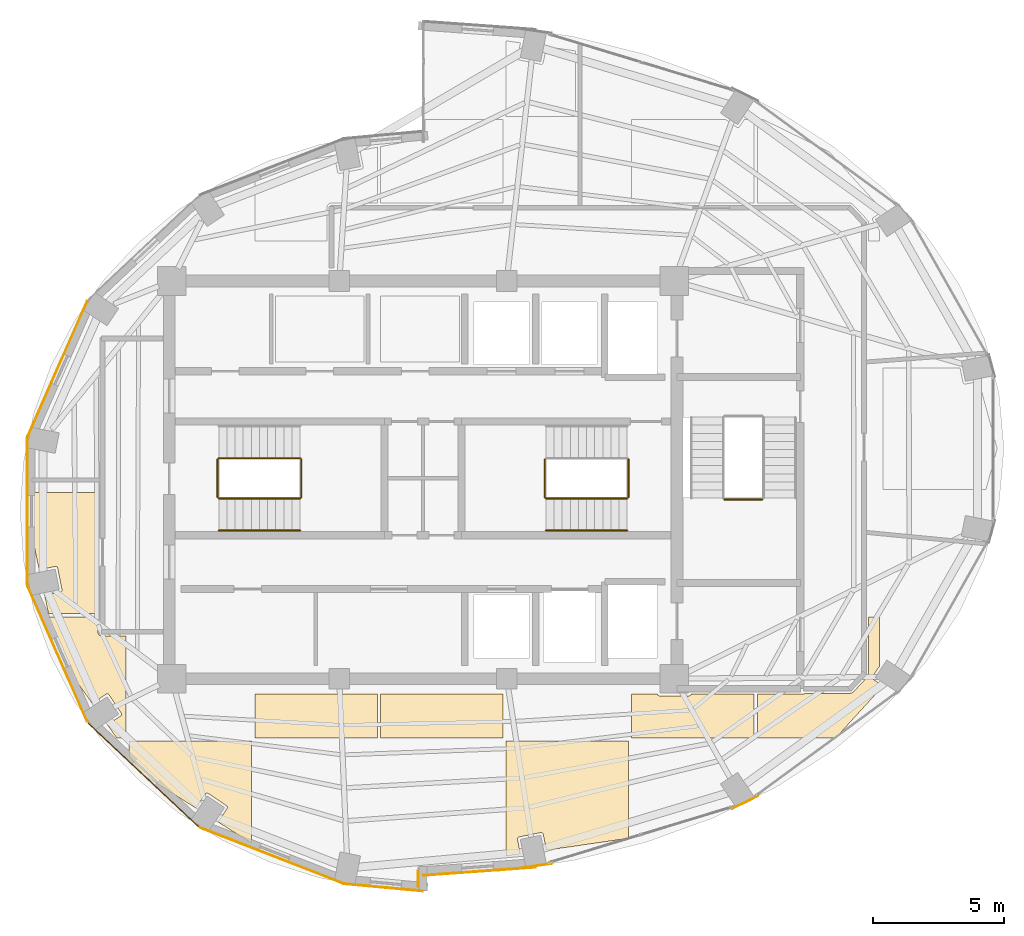
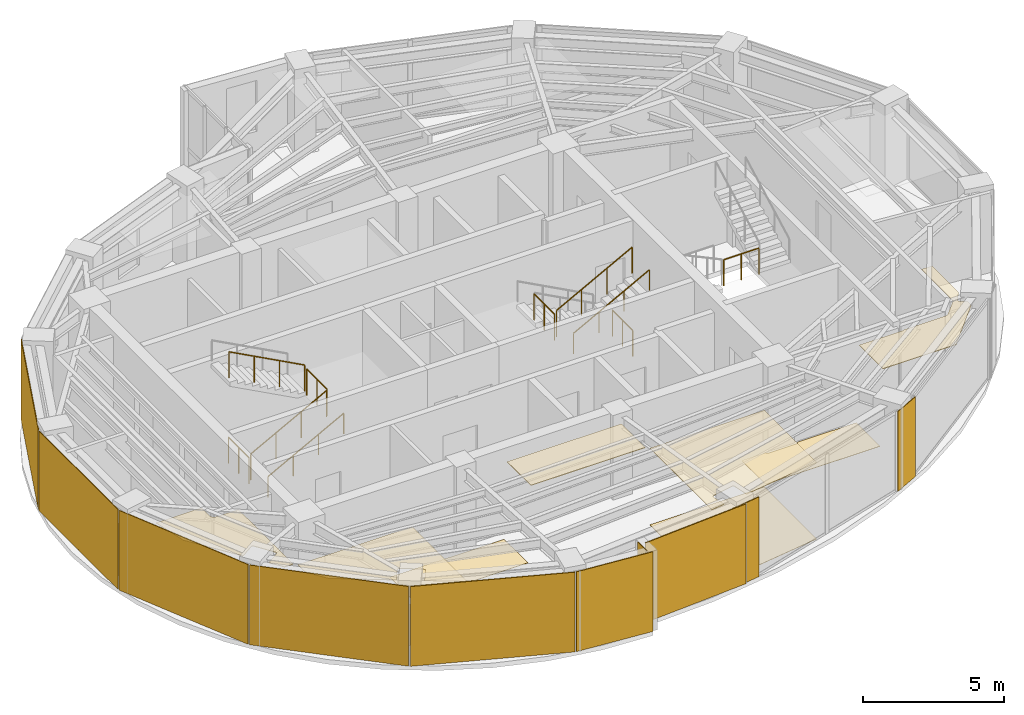
# One storey, part 14 of 15: 20 coverings, 10 railings.
"""IFC4 building model written with IfcOpenShell, lengths in metres."""

from ifc_helpers import new_model, si_unit, direction, frame, origin, origin_2d, place, context, subcontext, project, spatial, polyline, rectangle, circle, outline, extrude, material, layer, layer_set, type_object, element, save


model = new_model("IFC4")

# Units and contexts
model_context = context("Model", 3, precision=1e-05, world=origin(), true_north=direction((0.0, 1.0)))
body_context = subcontext(model_context, "Body", "Model", "MODEL_VIEW")
ifc_project = project(units=[si_unit("LENGTHUNIT", "METRE"), si_unit("AREAUNIT", "SQUARE_METRE"), si_unit("VOLUMEUNIT", "CUBIC_METRE"), si_unit("PLANEANGLEUNIT", "RADIAN"), si_unit("MASSUNIT", "GRAM", prefix="KILO")], contexts=[model_context])

# Site, building, storey
site_placement = place(None, origin())
site = spatial("IfcSite", under=ifc_project, at=site_placement, CompositionType="ELEMENT")
building_placement = place(site_placement, origin())
building = spatial("IfcBuilding", under=site, at=building_placement, Name="Lazwardi Medical Tower", CompositionType="ELEMENT")
storey_placement = place(building_placement, frame((0.0, 0.0, 284.2080078125)))
storey = spatial("IfcBuildingStorey", under=building, at=storey_placement, Name="L74", CompositionType="ELEMENT", Elevation=284.2080078125)

# Coverings
ifc_material_1 = material(Name="Anodised bronze aluminium cassette cladding", Category="aluminium")
ifc_layer_1 = layer(ifc_material_1, 0.030029296875)
ifc_layer_set_1 = layer_set([ifc_layer_1], Name="Anodised bronze aluminium cassette cladding")
covering_type_1 = type_object("IfcCoveringType", Name="COV-CLD-BRZ", PredefinedType="CLADDING", material=ifc_layer_set_1)
covering_1_placement = place(storey_placement, frame((40.3232421875, 13.25048828125, 0.0), z_axis=(0.0, 0.0, 1.0), x_axis=(0.989512431533, 0.144447733943, 0.0)))
element("IfcCovering", 1, at=covering_1_placement, inside=storey, type_object=covering_type_1, Name="L74 Mega-column bronze cassette cover M01", PredefinedType="CLADDING", context=body_context, shape_type="SweptSolid", body=[
    extrude(rectangle(XDim=1.188720703125, YDim=0.030029296875, at=origin_2d()), origin(), (0.0, 0.0, 1.0), 3.447998046875),
])
covering_2_placement = place(storey_placement, frame((48.311279296875, 15.6787109375, 0.0), z_axis=(0.0, 0.0, 1.0), x_axis=(0.897840141691, 0.440321564278, 0.0)))
element("IfcCovering", 2, at=covering_2_placement, inside=storey, type_object=covering_type_1, Name="L74 Mega-column bronze cassette cover M02", PredefinedType="CLADDING", context=body_context, shape_type="SweptSolid", body=[
    extrude(rectangle(XDim=1.110595703125, YDim=0.030029296875, at=origin_2d()), origin(), (0.0, 0.0, 1.0), 3.447998046875),
])
covering_3_placement = place(storey_placement, frame((22.032470703125, 32.25146484375, 0.0), z_axis=(0.0, 0.0, 1.0), x_axis=(-0.402877682365, -0.915253829848, 0.0)))
element("IfcCovering", 3, at=covering_3_placement, inside=storey, type_object=covering_type_1, Name="L74 West drum ceramic/bronze cladding", PredefinedType="CLADDING", context=body_context, shape_type="SweptSolid", body=[
    extrude(rectangle(XDim=5.65576171875, YDim=0.030029296875, at=origin_2d()), origin(), (0.0, 0.0, 1.0), 3.447998046875),
])
covering_4_placement = place(storey_placement, frame((20.880126953125, 26.800048828125, 0.0), z_axis=(0.0, 0.0, 1.0), x_axis=(0.0, -1.0, 0.0)))
element("IfcCovering", 4, at=covering_4_placement, inside=storey, type_object=covering_type_1, Name="L74 West drum ceramic/bronze cladding", PredefinedType="CLADDING", context=body_context, shape_type="SweptSolid", body=[
    extrude(rectangle(XDim=5.60302734375, YDim=0.030029296875, at=origin_2d()), origin(), (0.0, 0.0, 1.0), 3.447998046875),
])
covering_5_placement = place(storey_placement, frame((22.032470703125, 21.3486328125, 0.0), z_axis=(0.0, 0.0, 1.0), x_axis=(0.402877682365, -0.915253829848, 0.0)))
element("IfcCovering", 5, at=covering_5_placement, inside=storey, type_object=covering_type_1, Name="L74 West drum ceramic/bronze cladding", PredefinedType="CLADDING", context=body_context, shape_type="SweptSolid", body=[
    extrude(rectangle(XDim=5.65576171875, YDim=0.030029296875, at=origin_2d()), origin(), (0.0, 0.0, 1.0), 3.447998046875),
])
covering_6_placement = place(storey_placement, frame((25.31201171875, 16.7294921875, 0.0), z_axis=(0.0, 0.0, 1.0), x_axis=(0.728254960063, -0.685306291481, 0.0)))
element("IfcCovering", 6, at=covering_6_placement, inside=storey, type_object=covering_type_1, Name="L74 West drum ceramic/bronze cladding", PredefinedType="CLADDING", context=body_context, shape_type="SweptSolid", body=[
    extrude(rectangle(XDim=5.78125, YDim=0.030029296875, at=origin_2d()), origin(), (0.0, 0.0, 1.0), 3.447998046875),
])
ifc_material_2 = material(Name="Turquoise glazed ceramic tilework cladding", Category="masonry")
ifc_layer_2 = layer(ifc_material_2, 0.034912109375)
ifc_layer_set_2 = layer_set([ifc_layer_2], Name="Turquoise glazed ceramic tilework cladding")
covering_type_2 = type_object("IfcCoveringType", Name="COV-CLD-TRQ", PredefinedType="CLADDING", material=ifc_layer_set_2)
covering_7_placement = place(storey_placement, frame((30.216064453125, 13.64306640625, 0.0), z_axis=(0.0, 0.0, 1.0), x_axis=(0.931720388261, -0.363176428337, 0.0)))
element("IfcCovering", 7, at=covering_7_placement, inside=storey, type_object=covering_type_2, Name="L74 West drum ceramic/bronze cladding", PredefinedType="CLADDING", context=body_context, shape_type="SweptSolid", body=[
    extrude(rectangle(XDim=5.904052734375, YDim=0.034912109375, at=origin_2d()), origin(), (0.0, 0.0, 1.0), 3.447998046875),
])
covering_8_placement = place(storey_placement, frame((38.16259765625, 13.0400390625, 0.0), z_axis=(0.0, 0.0, 1.0), x_axis=(0.997409491337, 0.071932653157, 0.0)))
element("IfcCovering", 8, at=covering_8_placement, inside=storey, type_object=covering_type_2, Name="L74 Turquoise glazed ceramic tilework cladding", PredefinedType="CLADDING", context=body_context, shape_type="SweptSolid", body=[
    extrude(rectangle(XDim=4.31103515625, YDim=0.034912109375, at=origin_2d()), origin(), (0.0, 0.0, 1.0), 3.447998046875),
])
covering_9_placement = place(storey_placement, frame((34.4970703125, 12.423095703125, 0.0), z_axis=(0.0, 0.0, 1.0), x_axis=(0.995733560537, -0.092275004312, 0.0)))
element("IfcCovering", 9, at=covering_9_placement, inside=storey, type_object=covering_type_2, Name="L74 Turquoise glazed ceramic tilework cladding", PredefinedType="CLADDING", context=body_context, shape_type="SweptSolid", body=[
    extrude(rectangle(XDim=2.985595703125, YDim=0.034912109375, at=origin_2d()), origin(), (0.0, 0.0, 1.0), 3.447998046875),
])
covering_10_placement = place(storey_placement, frame((35.824462890625, 12.760009765625, 0.0), z_axis=(0.0, 0.0, 1.0), x_axis=(0.0, 1.0, 0.0)))
element("IfcCovering", 10, at=covering_10_placement, inside=storey, type_object=covering_type_2, Name="L74 Turquoise glazed ceramic tilework iwan panel", PredefinedType="CLADDING", context=body_context, shape_type="SweptSolid", body=[
    extrude(rectangle(XDim=0.60009765625, YDim=0.034912109375, at=origin_2d()), origin(), (0.0, 0.0, 1.0), 3.447998046875),
])
ifc_material_3 = material(Name="Acoustic mineral fibre tile")
ifc_layer_3 = layer(ifc_material_3, 0.02490234375)
ifc_layer_set_3 = layer_set([ifc_layer_3], Name="Acoustic mineral fibre tile")
covering_type_3 = type_object("IfcCoveringType", Name="COV-CLG-01", PredefinedType="CEILING", material=ifc_layer_set_3)
covering_11_placement = place(storey_placement, frame((0.0, 0.0, 3.302978515625)))
element("IfcCovering", 11, at=covering_11_placement, inside=storey, type_object=covering_type_3, Name="L74 Clinical Acoustic Ceiling 1", PredefinedType="CEILING", context=body_context, shape_type="SweptSolid", body=[
    extrude(outline(polyline([(24.65185546875, 22.02490234375), (23.75, 22.02490234375), (23.74560546875, 22.025146484375), (23.736328125, 22.025634765625), (23.7294921875, 22.0263671875), (23.72021484375, 22.027587890625), (23.7119140625, 22.029296875), (23.702880859375, 22.031494140625), (23.69580078125, 22.03369140625), (23.68701171875, 22.03662109375), (23.67919921875, 22.0400390625), (23.6708984375, 22.0439453125), (23.6640625, 22.047607421875), (23.656005859375, 22.052490234375), (23.6494140625, 22.056884765625), (23.641845703125, 22.0625), (23.63623046875, 22.067138671875), (23.62939453125, 22.0732421875), (23.623291015625, 22.079345703125), (23.6171875, 22.086181640625), (23.612548828125, 22.091796875), (23.60693359375, 22.099365234375), (23.602294921875, 22.10595703125), (23.59765625, 22.114013671875), (23.593994140625, 22.120849609375), (23.590087890625, 22.129150390625), (23.586669921875, 22.136962890625), (23.58349609375, 22.145751953125), (23.58154296875, 22.15283203125), (23.5791015625, 22.161865234375), (23.57763671875, 22.17041015625), (23.576416015625, 22.179443359375), (23.57568359375, 22.186279296875), (23.5751953125, 22.19580078125), (23.574951171875, 22.199951171875), (23.574951171875, 22.766357421875), (21.714599609375, 22.766357421875), (22.013427734375, 21.352783203125), (23.360595703125, 19.455810546875), (23.890380859375, 19.81005859375), (23.897216796875, 19.814208984375), (23.904296875, 19.8173828125), (23.91162109375, 19.820068359375), (23.919189453125, 19.822021484375), (23.927001953125, 19.822998046875), (23.934814453125, 19.823486328125), (23.942626953125, 19.822998046875), (23.950439453125, 19.822021484375), (23.9580078125, 19.820068359375), (23.96533203125, 19.8173828125), (23.972412109375, 19.814208984375), (23.979248046875, 19.81005859375), (23.985595703125, 19.805419921875), (23.991455078125, 19.800048828125), (23.99658203125, 19.794189453125), (24.001220703125, 19.787841796875), (24.468017578125, 19.089599609375), (24.47216796875, 19.082763671875), (24.475341796875, 19.07568359375), (24.47802734375, 19.068359375), (24.47998046875, 19.060791015625), (24.481201171875, 19.052978515625), (24.4814453125, 19.045166015625), (24.481201171875, 19.037353515625), (24.47998046875, 19.029541015625), (24.47802734375, 19.02197265625), (24.475341796875, 19.014404296875), (24.47216796875, 19.00732421875), (24.468017578125, 19.000732421875), (24.46337890625, 18.994384765625), (24.4580078125, 18.988525390625), (24.452392578125, 18.9833984375), (24.44580078125, 18.978515625), (23.939697265625, 18.640380859375), (24.297607421875, 18.136474609375), (24.65185546875, 18.136474609375), (24.65185546875, 22.02490234375)])), origin(), (0.0, 0.0, 1.0), 0.02490234375),
])
covering_12_placement = place(storey_placement, frame((0.0, 0.0, 3.302978515625)))
element("IfcCovering", 12, at=covering_12_placement, inside=storey, type_object=covering_type_3, Name="L74 Clinical Acoustic Ceiling 2", PredefinedType="CEILING", context=body_context, shape_type="SweptSolid", body=[
    extrude(outline(polyline([(24.771728515625, 17.468505859375), (25.293701171875, 16.7333984375), (27.32080078125, 15.458984375), (27.6787109375, 15.994384765625), (27.683349609375, 16.000732421875), (27.6884765625, 16.006591796875), (27.6943359375, 16.01171875), (27.70068359375, 16.016357421875), (27.70751953125, 16.0205078125), (27.714599609375, 16.023681640625), (27.721923828125, 16.026611328125), (27.7294921875, 16.0283203125), (27.7373046875, 16.029541015625), (27.7451171875, 16.02978515625), (27.7529296875, 16.029541015625), (27.7607421875, 16.0283203125), (27.768310546875, 16.026611328125), (27.775634765625, 16.023681640625), (27.78271484375, 16.0205078125), (27.78955078125, 16.016357421875), (28.48779296875, 15.5498046875), (28.494384765625, 15.544921875), (28.5, 15.539794921875), (28.50537109375, 15.533935546875), (28.510009765625, 15.527587890625), (28.51416015625, 15.52099609375), (28.517333984375, 15.513916015625), (28.52001953125, 15.50634765625), (28.52197265625, 15.498779296875), (28.523193359375, 15.490966796875), (28.5234375, 15.483154296875), (28.523193359375, 15.475341796875), (28.52197265625, 15.467529296875), (28.52001953125, 15.4599609375), (28.517333984375, 15.45263671875), (28.51416015625, 15.445556640625), (28.510009765625, 15.438720703125), (28.167724609375, 14.926513671875), (29.451904296875, 14.119384765625), (29.451904296875, 18.016357421875), (24.771728515625, 18.016357421875), (24.771728515625, 17.468505859375)])), origin(), (0.0, 0.0, 1.0), 0.02490234375),
])
covering_13_placement = place(storey_placement, frame((0.0, 0.0, 3.302978515625)))
element("IfcCovering", 13, at=covering_13_placement, inside=storey, type_object=covering_type_3, Name="L74 Clinical Acoustic Ceiling 4", PredefinedType="CEILING", context=body_context, shape_type="SweptSolid", body=[
    extrude(outline(polyline([(39.0517578125, 19.820068359375), (34.371826171875, 19.820068359375), (34.371826171875, 18.136474609375), (39.0517578125, 18.136474609375), (39.0517578125, 19.820068359375)])), origin(), (0.0, 0.0, 1.0), 0.02490234375),
])
covering_14_placement = place(storey_placement, frame((0.0, 0.0, 3.302978515625)))
element("IfcCovering", 14, at=covering_14_placement, inside=storey, type_object=covering_type_3, Name="L74 Clinical Acoustic Ceiling 6", PredefinedType="CEILING", context=body_context, shape_type="SweptSolid", body=[
    extrude(outline(polyline([(39.171875, 13.622802734375), (39.723876953125, 13.703125), (39.6123046875, 14.26318359375), (39.611328125, 14.27099609375), (39.61083984375, 14.27880859375), (39.611328125, 14.28662109375), (39.6123046875, 14.29443359375), (39.6142578125, 14.302001953125), (39.616943359375, 14.309326171875), (39.620361328125, 14.31640625), (39.62451171875, 14.3232421875), (39.629150390625, 14.32958984375), (39.63427734375, 14.33544921875), (39.64013671875, 14.340576171875), (39.646484375, 14.34521484375), (39.6533203125, 14.349365234375), (39.660400390625, 14.352783203125), (39.667724609375, 14.35546875), (39.67529296875, 14.357421875), (40.4990234375, 14.521240234375), (40.5068359375, 14.522216796875), (40.5146484375, 14.522705078125), (40.5224609375, 14.522216796875), (40.5302734375, 14.521240234375), (40.537841796875, 14.519287109375), (40.54541015625, 14.5166015625), (40.552490234375, 14.51318359375), (40.55908203125, 14.50927734375), (40.5654296875, 14.50439453125), (40.5712890625, 14.499267578125), (40.576416015625, 14.493408203125), (40.581298828125, 14.4873046875), (40.585205078125, 14.48046875), (40.588623046875, 14.473388671875), (40.59130859375, 14.4658203125), (40.59326171875, 14.458251953125), (40.714599609375, 13.847412109375), (43.851806640625, 14.30419921875), (43.851806640625, 18.016357421875), (39.171875, 18.016357421875), (39.171875, 13.622802734375)])), origin(), (0.0, 0.0, 1.0), 0.02490234375),
])
covering_15_placement = place(storey_placement, frame((0.0, 0.0, 3.302978515625)))
element("IfcCovering", 15, at=covering_15_placement, inside=storey, type_object=covering_type_3, Name="L74 Clinical Acoustic Ceiling 9", PredefinedType="CEILING", context=body_context, shape_type="SweptSolid", body=[
    extrude(outline(polyline([(53.451904296875, 20.215576171875), (53.2080078125, 20.37841796875), (53.20166015625, 20.38330078125), (53.19580078125, 20.388427734375), (53.190673828125, 20.394287109375), (53.185791015625, 20.400634765625), (53.181884765625, 20.4072265625), (53.178466796875, 20.414306640625), (53.17578125, 20.421875), (53.173828125, 20.429443359375), (53.1728515625, 20.437255859375), (53.17236328125, 20.445068359375), (53.1728515625, 20.452880859375), (53.173828125, 20.460693359375), (53.17578125, 20.46826171875), (53.178466796875, 20.4755859375), (53.181884765625, 20.482666015625), (53.185791015625, 20.489501953125), (53.451904296875, 20.88720703125), (53.451904296875, 22.766357421875), (53.02490234375, 22.766357421875), (53.02490234375, 20.58984375), (53.02490234375, 20.586181640625), (53.0244140625, 20.577392578125), (53.023681640625, 20.5693359375), (53.0224609375, 20.560546875), (53.021240234375, 20.55419921875), (53.019287109375, 20.545654296875), (53.016845703125, 20.537353515625), (53.013916015625, 20.529052734375), (53.01123046875, 20.522216796875), (53.007568359375, 20.513916015625), (53.004150390625, 20.507080078125), (52.999755859375, 20.49951171875), (52.995849609375, 20.493408203125), (52.99072265625, 20.486083984375), (52.986083984375, 20.47998046875), (52.980224609375, 20.47314453125), (52.977783203125, 20.470458984375), (52.44580078125, 19.900634765625), (52.44287109375, 19.897705078125), (52.435791015625, 19.89111328125), (52.429443359375, 19.88525390625), (52.421630859375, 19.87939453125), (52.415283203125, 19.874755859375), (52.406982421875, 19.86962890625), (52.399658203125, 19.865478515625), (52.39111328125, 19.861083984375), (52.383544921875, 19.85791015625), (52.37451171875, 19.8544921875), (52.3671875, 19.852294921875), (52.357666015625, 19.849609375), (52.349609375, 19.847900390625), (52.33984375, 19.846435546875), (52.33154296875, 19.845703125), (52.322021484375, 19.84521484375), (52.31787109375, 19.844970703125), (50.60791015625, 19.844970703125), (50.606689453125, 19.843505859375), (50.600830078125, 19.838134765625), (50.594482421875, 19.83349609375), (50.587646484375, 19.829345703125), (50.58056640625, 19.826171875), (50.5732421875, 19.823486328125), (50.565673828125, 19.821533203125), (50.557861328125, 19.8203125), (50.550048828125, 19.820068359375), (48.771728515625, 19.820068359375), (48.771728515625, 18.136474609375), (51.767822265625, 18.136474609375), (53.451904296875, 19.981201171875), (53.451904296875, 20.215576171875)])), origin(), (0.0, 0.0, 1.0), 0.02490234375),
])
ifc_material_4 = material(Name="Anti-static hospital vinyl sheet flooring")
ifc_layer_4 = layer(ifc_material_4, 0.014892578125)
ifc_layer_set_4 = layer_set([ifc_layer_4], Name="Anti-static hospital vinyl sheet flooring")
covering_type_4 = type_object("IfcCoveringType", Name="COV-FLR-01", PredefinedType="FLOORING", material=ifc_layer_set_4)
covering_16_placement = place(storey_placement, origin())
element("IfcCovering", 16, at=covering_16_placement, inside=storey, type_object=covering_type_4, Name="L74 Clinical Vinyl Flooring 1", PredefinedType="FLOORING", context=body_context, shape_type="SweptSolid", body=[
    extrude(outline(polyline([(21.01318359375, 27.516357421875), (20.86181640625, 26.800048828125), (21.33349609375, 24.568115234375), (21.94580078125, 24.689697265625), (21.95361328125, 24.69091796875), (21.96142578125, 24.69140625), (21.96923828125, 24.69091796875), (21.97705078125, 24.689697265625), (21.984619140625, 24.68798828125), (21.9921875, 24.685302734375), (21.999267578125, 24.681884765625), (22.005859375, 24.677734375), (22.01220703125, 24.673095703125), (22.01806640625, 24.66796875), (22.023193359375, 24.662109375), (22.028076171875, 24.65576171875), (22.031982421875, 24.64892578125), (22.035400390625, 24.641845703125), (22.0380859375, 24.634521484375), (22.0400390625, 24.626953125), (22.203857421875, 23.802978515625), (22.205078125, 23.79541015625), (22.205322265625, 23.78759765625), (22.205078125, 23.77978515625), (22.203857421875, 23.77197265625), (22.201904296875, 23.764404296875), (22.19921875, 23.7568359375), (22.196044921875, 23.749755859375), (22.19189453125, 23.7431640625), (22.187255859375, 23.73681640625), (22.181884765625, 23.73095703125), (22.17626953125, 23.7255859375), (22.169921875, 23.720947265625), (22.1630859375, 23.716796875), (22.156005859375, 23.713623046875), (22.148681640625, 23.7109375), (22.14111328125, 23.708984375), (21.54052734375, 23.589599609375), (21.689208984375, 22.886474609375), (23.574951171875, 22.886474609375), (23.574951171875, 27.516357421875), (21.01318359375, 27.516357421875)])), origin(), (0.0, 0.0, 1.0), 0.014892578125),
])
covering_17_placement = place(storey_placement, origin())
element("IfcCovering", 17, at=covering_17_placement, inside=storey, type_object=covering_type_4, Name="L74 Clinical Vinyl Flooring 2", PredefinedType="FLOORING", context=body_context, shape_type="SweptSolid", body=[
    extrude(outline(polyline([(24.771728515625, 17.468505859375), (25.293701171875, 16.7333984375), (27.32080078125, 15.458984375), (27.6787109375, 15.994384765625), (27.683349609375, 16.000732421875), (27.6884765625, 16.006591796875), (27.6943359375, 16.01171875), (27.70068359375, 16.016357421875), (27.70751953125, 16.0205078125), (27.714599609375, 16.023681640625), (27.721923828125, 16.026611328125), (27.7294921875, 16.0283203125), (27.7373046875, 16.029541015625), (27.7451171875, 16.02978515625), (27.7529296875, 16.029541015625), (27.7607421875, 16.0283203125), (27.768310546875, 16.026611328125), (27.775634765625, 16.023681640625), (27.78271484375, 16.0205078125), (27.78955078125, 16.016357421875), (28.48779296875, 15.5498046875), (28.494384765625, 15.544921875), (28.5, 15.539794921875), (28.50537109375, 15.533935546875), (28.510009765625, 15.527587890625), (28.51416015625, 15.52099609375), (28.517333984375, 15.513916015625), (28.52001953125, 15.50634765625), (28.52197265625, 15.498779296875), (28.523193359375, 15.490966796875), (28.5234375, 15.483154296875), (28.523193359375, 15.475341796875), (28.52197265625, 15.467529296875), (28.52001953125, 15.4599609375), (28.517333984375, 15.45263671875), (28.51416015625, 15.445556640625), (28.510009765625, 15.438720703125), (28.167724609375, 14.926513671875), (29.451904296875, 14.119384765625), (29.451904296875, 18.016357421875), (24.771728515625, 18.016357421875), (24.771728515625, 17.468505859375)])), origin(), (0.0, 0.0, 1.0), 0.014892578125),
])
covering_18_placement = place(storey_placement, origin())
element("IfcCovering", 18, at=covering_18_placement, inside=storey, type_object=covering_type_4, Name="L74 Clinical Vinyl Flooring 3", PredefinedType="FLOORING", context=body_context, shape_type="SweptSolid", body=[
    extrude(outline(polyline([(34.251708984375, 19.820068359375), (29.57177734375, 19.820068359375), (29.57177734375, 18.136474609375), (34.251708984375, 18.136474609375), (34.251708984375, 19.820068359375)])), origin(), (0.0, 0.0, 1.0), 0.014892578125),
])
covering_19_placement = place(storey_placement, origin())
element("IfcCovering", 19, at=covering_19_placement, inside=storey, type_object=covering_type_4, Name="L74 Clinical Vinyl Flooring 6", PredefinedType="FLOORING", context=body_context, shape_type="SweptSolid", body=[
    extrude(outline(polyline([(39.171875, 13.622802734375), (39.723876953125, 13.703125), (39.6123046875, 14.26318359375), (39.611328125, 14.27099609375), (39.61083984375, 14.27880859375), (39.611328125, 14.28662109375), (39.6123046875, 14.29443359375), (39.6142578125, 14.302001953125), (39.616943359375, 14.309326171875), (39.620361328125, 14.31640625), (39.62451171875, 14.3232421875), (39.629150390625, 14.32958984375), (39.63427734375, 14.33544921875), (39.64013671875, 14.340576171875), (39.646484375, 14.34521484375), (39.6533203125, 14.349365234375), (39.660400390625, 14.352783203125), (39.667724609375, 14.35546875), (39.67529296875, 14.357421875), (40.4990234375, 14.521240234375), (40.5068359375, 14.522216796875), (40.5146484375, 14.522705078125), (40.5224609375, 14.522216796875), (40.5302734375, 14.521240234375), (40.537841796875, 14.519287109375), (40.54541015625, 14.5166015625), (40.552490234375, 14.51318359375), (40.55908203125, 14.50927734375), (40.5654296875, 14.50439453125), (40.5712890625, 14.499267578125), (40.576416015625, 14.493408203125), (40.581298828125, 14.4873046875), (40.585205078125, 14.48046875), (40.588623046875, 14.473388671875), (40.59130859375, 14.4658203125), (40.59326171875, 14.458251953125), (40.714599609375, 13.847412109375), (43.851806640625, 14.30419921875), (43.851806640625, 18.016357421875), (39.171875, 18.016357421875), (39.171875, 13.622802734375)])), origin(), (0.0, 0.0, 1.0), 0.014892578125),
])
covering_20_placement = place(storey_placement, origin())
element("IfcCovering", 20, at=covering_20_placement, inside=storey, type_object=covering_type_4, Name="L74 Clinical Vinyl Flooring 8", PredefinedType="FLOORING", context=body_context, shape_type="SweptSolid", body=[
    extrude(outline(polyline([(48.65185546875, 19.820068359375), (46.249267578125, 19.820068359375), (46.24853515625, 19.814453125), (46.24658203125, 19.806884765625), (46.243896484375, 19.79931640625), (46.240478515625, 19.792236328125), (46.236572265625, 19.78564453125), (46.231689453125, 19.779296875), (46.2265625, 19.7734375), (46.220703125, 19.768310546875), (46.21435546875, 19.763427734375), (46.207763671875, 19.759521484375), (46.20068359375, 19.756103515625), (46.193115234375, 19.75341796875), (46.185546875, 19.75146484375), (46.177734375, 19.75048828125), (46.169921875, 19.75), (45.030029296875, 19.75), (45.022216796875, 19.75048828125), (45.014404296875, 19.75146484375), (45.0068359375, 19.75341796875), (44.99951171875, 19.756103515625), (44.9921875, 19.759521484375), (44.985595703125, 19.763427734375), (44.979248046875, 19.768310546875), (44.973388671875, 19.7734375), (44.96826171875, 19.779296875), (44.96337890625, 19.78564453125), (44.95947265625, 19.792236328125), (44.9560546875, 19.79931640625), (44.953369140625, 19.806884765625), (44.951416015625, 19.814453125), (44.95068359375, 19.820068359375), (43.9716796875, 19.820068359375), (43.9716796875, 18.136474609375), (48.65185546875, 18.136474609375), (48.65185546875, 19.820068359375)])), origin(), (0.0, 0.0, 1.0), 0.014892578125),
])

# Railings
ifc_material_5 = material(Name="Stainless steel Grade 316", Category="steel")
railing_type_1 = type_object("IfcRailingType", Name="RLG-GRD-1150", PredefinedType="GUARDRAIL", material=ifc_material_5)
railing_1_placement = place(storey_placement, frame((28.199951171875, 27.2900390625, 0.165771484375)))
element("IfcRailing", 21, at=railing_1_placement, inside=storey, type_object=railing_type_1, Name="L74 ST1 stair guard 1", PredefinedType="GUARDRAIL", context=body_context, shape_type="SweptSolid", body=[
    extrude(circle(Radius=0.02392578125, at=origin_2d()), frame((0.0, 0.0, 1.1259765625), z_axis=(0.881783298633, 0.0, 0.471654761719), x_axis=(0.0, 1.0, 0.0)), (0.0, 0.0, 1.0), 3.515625),
    extrude(circle(Radius=0.02099609375, at=origin_2d()), origin(), (0.0, 0.0, 1.0), 1.099853515625),
    extrude(circle(Radius=0.02099609375, at=origin_2d()), frame((1.033447265625, 0.0, 0.552734375)), (0.0, 0.0, 1.0), 1.099853515625),
    extrude(circle(Radius=0.02099609375, at=origin_2d()), frame((2.066650390625, 0.0, 1.10546875)), (0.0, 0.0, 1.0), 1.099853515625),
    extrude(circle(Radius=0.02099609375, at=origin_2d()), frame((3.10009765625, 0.0, 1.658203125)), (0.0, 0.0, 1.0), 1.099853515625),
])
railing_2_placement = place(storey_placement, frame((31.35009765625, 27.340087890625, 1.823974609375)))
element("IfcRailing", 22, at=railing_2_placement, inside=storey, type_object=railing_type_1, Name="L74 ST1 stair guard 2", PredefinedType="GUARDRAIL", context=body_context, shape_type="SweptSolid", body=[
    extrude(circle(Radius=0.02392578125, at=origin_2d()), frame((0.0, 0.0, 1.1259765625), z_axis=(0.0, 1.0, 0.0), x_axis=(-1.0, 0.0, 0.0)), (0.0, 0.0, 1.0), 1.43994140625),
    extrude(circle(Radius=0.02099609375, at=origin_2d()), origin(), (0.0, 0.0, 1.0), 1.099853515625),
    extrude(circle(Radius=0.02099609375, at=origin_2d()), frame((0.0, 0.719970703125, 0.0)), (0.0, 0.0, 1.0), 1.099853515625),
    extrude(circle(Radius=0.02099609375, at=origin_2d()), frame((0.0, 1.43994140625, 0.0)), (0.0, 0.0, 1.0), 1.099853515625),
])
railing_3_placement = place(storey_placement, frame((31.300048828125, 28.830078125, 1.98974609375)))
element("IfcRailing", 23, at=railing_3_placement, inside=storey, type_object=railing_type_1, Name="L74 ST1 stair guard 3", PredefinedType="GUARDRAIL", context=body_context, shape_type="SweptSolid", body=[
    extrude(circle(Radius=0.02392578125, at=origin_2d()), frame((0.0, 0.0, 1.1259765625), z_axis=(-0.881783298633, 0.0, 0.471654761719), x_axis=(0.0, -1.0, 0.0)), (0.0, 0.0, 1.0), 3.515625),
    extrude(circle(Radius=0.02099609375, at=origin_2d()), origin(), (0.0, 0.0, 1.0), 1.099853515625),
    extrude(circle(Radius=0.02099609375, at=origin_2d()), frame((-1.033447265625, 0.0, 0.552734375)), (0.0, 0.0, 1.0), 1.099853515625),
    extrude(circle(Radius=0.02099609375, at=origin_2d()), frame((-2.066650390625, 0.0, 1.10546875)), (0.0, 0.0, 1.0), 1.099853515625),
    extrude(circle(Radius=0.02099609375, at=origin_2d()), frame((-3.10009765625, 0.0, 1.658203125)), (0.0, 0.0, 1.0), 1.099853515625),
])
railing_4_placement = place(storey_placement, frame((28.14990234375, 27.340087890625, 0.0)))
element("IfcRailing", 24, at=railing_4_placement, inside=storey, type_object=railing_type_1, Name="L74 ST1 stair guard 4", PredefinedType="GUARDRAIL", context=body_context, shape_type="SweptSolid", body=[
    extrude(circle(Radius=0.02392578125, at=origin_2d()), frame((0.0, 0.0, 1.1259765625), z_axis=(0.0, 1.0, 0.0), x_axis=(-1.0, 0.0, 0.0)), (0.0, 0.0, 1.0), 1.43994140625),
    extrude(circle(Radius=0.02099609375, at=origin_2d()), origin(), (0.0, 0.0, 1.0), 1.099853515625),
    extrude(circle(Radius=0.02099609375, at=origin_2d()), frame((0.0, 0.719970703125, 0.0)), (0.0, 0.0, 1.0), 1.099853515625),
    extrude(circle(Radius=0.02099609375, at=origin_2d()), frame((0.0, 1.43994140625, 0.0)), (0.0, 0.0, 1.0), 1.099853515625),
])
railing_5_placement = place(storey_placement, frame((40.64990234375, 28.780029296875, 1.823974609375)))
element("IfcRailing", 25, at=railing_5_placement, inside=storey, type_object=railing_type_1, Name="L74 ST2 stair guard 2", PredefinedType="GUARDRAIL", context=body_context, shape_type="SweptSolid", body=[
    extrude(circle(Radius=0.02392578125, at=origin_2d()), frame((0.0, 0.0, 1.1259765625), z_axis=(0.0, -1.0, 0.0), x_axis=(1.0, 0.0, 0.0)), (0.0, 0.0, 1.0), 1.43994140625),
    extrude(circle(Radius=0.02099609375, at=origin_2d()), origin(), (0.0, 0.0, 1.0), 1.099853515625),
    extrude(circle(Radius=0.02099609375, at=origin_2d()), frame((0.0, -0.719970703125, 0.0)), (0.0, 0.0, 1.0), 1.099853515625),
    extrude(circle(Radius=0.02099609375, at=origin_2d()), frame((0.0, -1.43994140625, 0.0)), (0.0, 0.0, 1.0), 1.099853515625),
])
railing_6_placement = place(storey_placement, frame((40.699951171875, 27.2900390625, 1.98974609375)))
element("IfcRailing", 26, at=railing_6_placement, inside=storey, type_object=railing_type_1, Name="L74 ST2 stair guard 3", PredefinedType="GUARDRAIL", context=body_context, shape_type="SweptSolid", body=[
    extrude(circle(Radius=0.02392578125, at=origin_2d()), frame((0.0, 0.0, 1.1259765625), z_axis=(0.881783298633, 0.0, 0.471654761719), x_axis=(0.0, 1.0, 0.0)), (0.0, 0.0, 1.0), 3.515625),
    extrude(circle(Radius=0.02099609375, at=origin_2d()), origin(), (0.0, 0.0, 1.0), 1.099853515625),
    extrude(circle(Radius=0.02099609375, at=origin_2d()), frame((1.033447265625, 0.0, 0.552734375)), (0.0, 0.0, 1.0), 1.099853515625),
    extrude(circle(Radius=0.02099609375, at=origin_2d()), frame((2.066650390625, 0.0, 1.10546875)), (0.0, 0.0, 1.0), 1.099853515625),
    extrude(circle(Radius=0.02099609375, at=origin_2d()), frame((3.10009765625, 0.0, 1.658203125)), (0.0, 0.0, 1.0), 1.099853515625),
])
railing_7_placement = place(storey_placement, frame((43.85009765625, 28.780029296875, 0.0)))
element("IfcRailing", 27, at=railing_7_placement, inside=storey, type_object=railing_type_1, Name="L74 ST2 stair guard 4", PredefinedType="GUARDRAIL", context=body_context, shape_type="SweptSolid", body=[
    extrude(circle(Radius=0.02392578125, at=origin_2d()), frame((0.0, 0.0, 1.1259765625), z_axis=(0.0, -1.0, 0.0), x_axis=(1.0, 0.0, 0.0)), (0.0, 0.0, 1.0), 1.43994140625),
    extrude(circle(Radius=0.02099609375, at=origin_2d()), origin(), (0.0, 0.0, 1.0), 1.099853515625),
    extrude(circle(Radius=0.02099609375, at=origin_2d()), frame((0.0, -0.719970703125, 0.0)), (0.0, 0.0, 1.0), 1.099853515625),
    extrude(circle(Radius=0.02099609375, at=origin_2d()), frame((0.0, -1.43994140625, 0.0)), (0.0, 0.0, 1.0), 1.099853515625),
])
railing_8_placement = place(storey_placement, frame((47.52001953125, 27.25, 1.823974609375)))
element("IfcRailing", 28, at=railing_8_placement, inside=storey, type_object=railing_type_1, Name="L74 ST3 stair guard 2", PredefinedType="GUARDRAIL", context=body_context, shape_type="SweptSolid", body=[
    extrude(circle(Radius=0.02392578125, at=origin_2d()), frame((0.0, 0.0, 1.1259765625), z_axis=(1.0, 0.0, 0.0), x_axis=(0.0, 1.0, 0.0)), (0.0, 0.0, 1.0), 1.43994140625),
    extrude(circle(Radius=0.02099609375, at=origin_2d()), origin(), (0.0, 0.0, 1.0), 1.099853515625),
    extrude(circle(Radius=0.02099609375, at=origin_2d()), frame((0.719970703125, 0.0, 0.0)), (0.0, 0.0, 1.0), 1.099853515625),
    extrude(circle(Radius=0.02099609375, at=origin_2d()), frame((1.43994140625, 0.0, 0.0)), (0.0, 0.0, 1.0), 1.099853515625),
])
railing_type_2 = type_object("IfcRailingType", Name="RLG-HND-920", PredefinedType="HANDRAIL", material=ifc_material_5)
for number, where, name in (
    (29, (28.199951171875, 26.070068359375, 0.165771484375), "L74 ST1 stair handrail 1"),
    (30, (40.699951171875, 26.070068359375, 1.98974609375), "L74 ST2 stair handrail 2"),
):
    element("IfcRailing", number, at=place(storey_placement, frame(where)), inside=storey, type_object=railing_type_2, Name=name, PredefinedType="HANDRAIL", context=body_context, shape_type="SweptSolid", body=[
        extrude(circle(Radius=0.02392578125, at=origin_2d()), frame((0.0, 0.0, 0.8857421875), z_axis=(0.881783298633, 0.0, 0.471654761719), x_axis=(0.0, 1.0, 0.0)), (0.0, 0.0, 1.0), 3.515625),
        extrude(circle(Radius=0.02099609375, at=origin_2d()), origin(), (0.0, 0.0, 1.0), 0.85986328125),
        extrude(circle(Radius=0.02099609375, at=origin_2d()), frame((1.033447265625, 0.0, 0.552734375)), (0.0, 0.0, 1.0), 0.85986328125),
        extrude(circle(Radius=0.02099609375, at=origin_2d()), frame((2.066650390625, 0.0, 1.10546875)), (0.0, 0.0, 1.0), 0.85986328125),
        extrude(circle(Radius=0.02099609375, at=origin_2d()), frame((3.10009765625, 0.0, 1.658203125)), (0.0, 0.0, 1.0), 0.85986328125),
    ])

save(model, "model.ifc")
